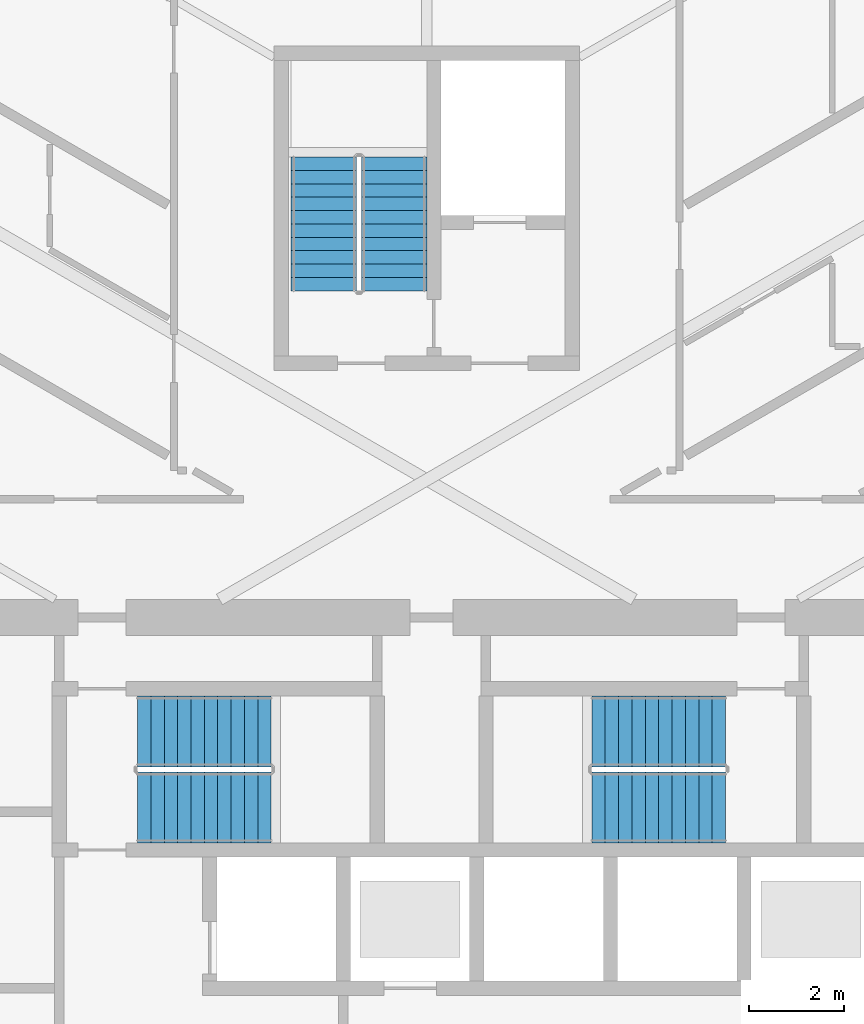
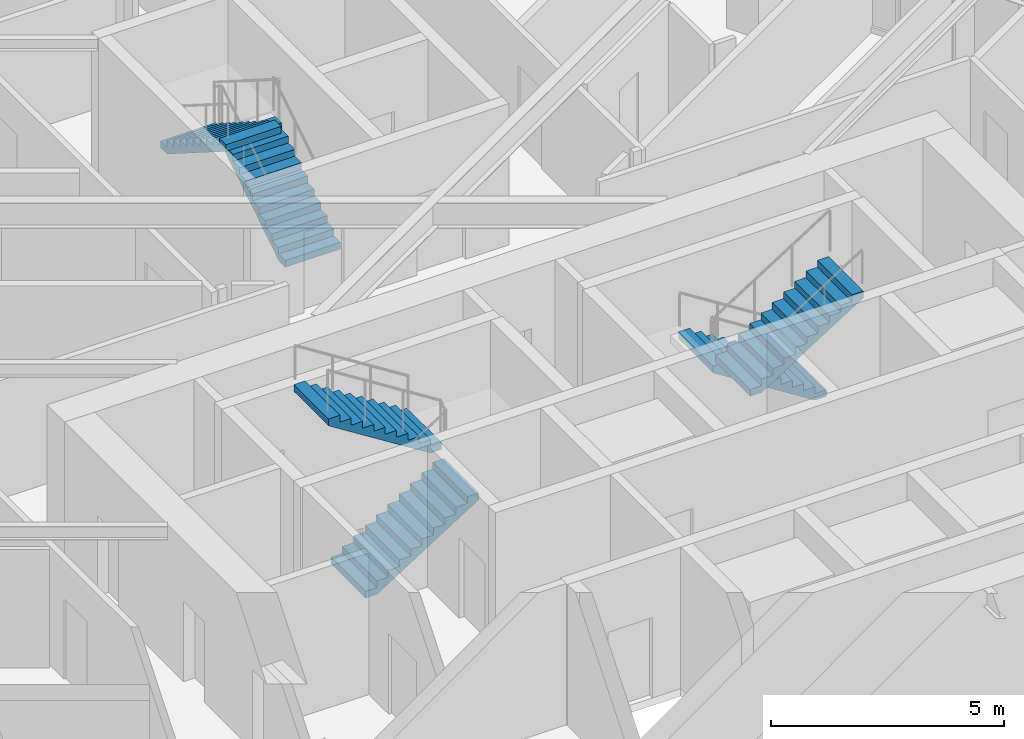
# One storey, part 20 of 26: 6 stair flights, 3 elements without a shape of their own.
"""IFC4 building model written with IfcOpenShell, lengths in metres."""

import ifcopenshell
import ifcopenshell.guid

model = None  # the IFC model being written
_history = None  # IfcOwnerHistory: only IFC2X3 demands one
_inside = {}  # id of a spatial element -> (the spatial element, [elements in it])
_under = {}  # id of a project, library or spatial element -> (it, [spatial elements below it])
_declared = {}  # id of a project -> (the project, [libraries it declares])
_typed = {}  # id of a type object -> (the type object, [elements of that type])
_made_of = {}  # id of a material, layer set ... -> (it, [elements and type objects made of it])


def new_model(schema):
    """Start an empty IFC model of exactly this schema.

    Asked for "IFC4X3", IfcOpenShell would pick the latest addendum, in which some entities
    have other attributes; the version numbers below select the first issue.
    IFC2X3 requires an IfcOwnerHistory on every rooted entity: one is made here for all.
    """
    global model, _history
    if schema == "IFC4X3":
        model = ifcopenshell.file(schema_version=(4, 3, 0, 0))
    else:
        model = ifcopenshell.file(schema=schema)
    _inside.clear()
    _under.clear()
    _declared.clear()
    _typed.clear()
    _made_of.clear()
    _history = None
    if model.schema == "IFC2X3":
        org = make("IfcOrganization", Name="unknown")
        user = make(
            "IfcPersonAndOrganization",
            ThePerson=make("IfcPerson", FamilyName="unknown"),
            TheOrganization=org,
        )
        app = make(
            "IfcApplication",
            ApplicationDeveloper=org,
            Version="unknown",
            ApplicationFullName="unknown",
            ApplicationIdentifier="unknown",
        )
        _history = make(
            "IfcOwnerHistory",
            OwningUser=user,
            OwningApplication=app,
            ChangeAction="ADDED",
            CreationDate=0,
        )
    return model


def make(cls, **values):
    """One entity of the class cls with the attributes given. An attribute that is None is left unset."""
    return model.create_entity(
        cls, **{name: value for name, value in values.items() if value is not None}
    )


def rooted(cls, **values):
    """An entity with a GlobalId (a new one), such as an element, a storey or a relation."""
    return make(cls, GlobalId=ifcopenshell.guid.new(), OwnerHistory=_history, **values)


def si_unit(unit_type, name, prefix=None):
    """IfcSIUnit, for example si_unit("LENGTHUNIT", "METRE", prefix="MILLI")."""
    return make("IfcSIUnit", UnitType=unit_type, Prefix=prefix, Name=name)


def assignment(units):
    """IfcUnitAssignment: the units of a project."""
    return None if units is None else make("IfcUnitAssignment", Units=units)


def point(xyz):
    """IfcCartesianPoint."""
    return None if xyz is None else make("IfcCartesianPoint", Coordinates=xyz)


def direction(xyz):
    """IfcDirection."""
    return None if xyz is None else make("IfcDirection", DirectionRatios=xyz)


def frame(location, z_axis=None, x_axis=None):
    """IfcAxis2Placement3D, a coordinate frame: its origin and axes. An axis left out is left unset."""
    return make(
        "IfcAxis2Placement3D",
        Location=point(location),
        Axis=direction(z_axis),
        RefDirection=direction(x_axis),
    )


def origin():
    """The frame at (0, 0, 0) with its axes left unset."""
    return frame((0.0, 0.0, 0.0))


def place(relative_to, where):
    """IfcLocalPlacement: puts the frame where relative to a parent placement (None: the world)."""
    return make(
        "IfcLocalPlacement", PlacementRelTo=relative_to, RelativePlacement=where
    )


def context(
    kind, dimensions, precision=None, world=None, true_north=None, identifier=None
):
    """IfcGeometricRepresentationContext, for example the 3D "Model" context."""
    return make(
        "IfcGeometricRepresentationContext",
        ContextIdentifier=identifier,
        ContextType=kind,
        CoordinateSpaceDimension=dimensions,
        Precision=precision,
        WorldCoordinateSystem=world,
        TrueNorth=true_north,
    )


def subcontext(parent, identifier, kind, view, scale=None):
    """IfcGeometricRepresentationSubContext, for example "Body" below "Model"."""
    return make(
        "IfcGeometricRepresentationSubContext",
        ContextIdentifier=identifier,
        ContextType=kind,
        ParentContext=parent,
        TargetScale=scale,
        TargetView=view,
    )


def project(units=None, contexts=None):
    """IfcProject with its units and contexts."""
    return rooted(
        "IfcProject",
        Name="project",
        RepresentationContexts=contexts,
        UnitsInContext=assignment(units),
    )


def spatial(cls, under=None, at=None, **own):
    """A site, building, storey or space (cls), placed at a placement, below another one or the project."""
    s = rooted(cls, ObjectPlacement=at, **own)
    if under is not None:
        _under.setdefault(under.id(), (under, []))[1].append(s)
    return s


def polyline(points):
    """IfcPolyline through the points."""
    return make("IfcPolyline", Points=[point(p) for p in points])


def outline(outer, holes=None, kind="AREA"):
    """IfcArbitraryClosedProfileDef: a profile drawn as a closed curve; with holes, ...WithVoids."""
    if holes is None:
        return make("IfcArbitraryClosedProfileDef", ProfileType=kind, OuterCurve=outer)
    return make(
        "IfcArbitraryProfileDefWithVoids",
        ProfileType=kind,
        OuterCurve=outer,
        InnerCurves=holes,
    )


def extrude(swept, where, along, depth):
    """IfcExtrudedAreaSolid: the profile swept, set in the frame where, extruded along a direction by depth."""
    return make(
        "IfcExtrudedAreaSolid",
        SweptArea=swept,
        Position=where,
        ExtrudedDirection=direction(along),
        Depth=depth,
    )


def shape(context_of_items, identifier, shape_type, items):
    """IfcShapeRepresentation: the items that make up one representation, for example the "Body"."""
    return make(
        "IfcShapeRepresentation",
        ContextOfItems=context_of_items,
        RepresentationIdentifier=identifier,
        RepresentationType=shape_type,
        Items=items,
    )


def material(Name=None, Category=None):
    """IfcMaterial."""
    return make("IfcMaterial", Name=Name, Category=Category)


def made_of(thing, what):
    """Note that an element or type object is made of a material, layer set ...; save() writes the relation."""
    if what is not None:
        _made_of.setdefault(what.id(), (what, []))[1].append(thing)
    return thing


def type_object(cls, material=None, **own):
    """A type object (cls), such as IfcWallType, which elements share."""
    return made_of(rooted(cls, **own), material)


def element(
    cls,
    number,
    at=None,
    inside=None,
    cuts=None,
    type_object=None,
    material=None,
    context=None,
    identifier="Body",
    shape_type=None,
    held_by="IfcProductDefinitionShape",
    body=None,
    shapes=None,
    **own,
):
    """One element of the class cls, such as IfcWall. Its Tag is "e" and its number.

    at: its placement. inside: the storey or other place that contains it. cuts: it is an
    opening in that element (IfcRelVoidsElement). A single representation is given by context,
    identifier, shape_type and body (its items); several are given by shapes. held_by: the class
    of the entity that holds the representations. save() writes the other relations.
    """
    e = rooted(cls, Tag="e%d" % number, ObjectPlacement=at, **own)
    if body is not None:
        shapes = [shape(context, identifier, shape_type, body)]
    if shapes is not None:
        e.Representation = make(held_by, Representations=shapes)
    if inside is not None:
        _inside.setdefault(inside.id(), (inside, []))[1].append(e)
    if cuts is not None:
        rooted(
            "IfcRelVoidsElement", RelatingBuildingElement=cuts, RelatedOpeningElement=e
        )
    if type_object is not None:
        _typed.setdefault(type_object.id(), (type_object, []))[1].append(e)
    return made_of(e, material)


def aggregate(whole, parts):
    """IfcRelAggregates: a whole, such as a stair, and the parts it consists of."""
    return rooted("IfcRelAggregates", RelatingObject=whole, RelatedObjects=parts)


def save(model, path):
    """Write the relations noted so far, then the file.

    IfcRelAggregates (storeys below a building ...), IfcRelContainedInSpatialStructure (elements
    in a storey), IfcRelDefinesByType, IfcRelAssociatesMaterial and IfcRelDeclares: one each for
    every whole, place, type object, material and project.
    """
    for whole, parts in _under.values():
        aggregate(whole, parts)
    for where, things in _inside.values():
        rooted(
            "IfcRelContainedInSpatialStructure",
            RelatedElements=things,
            RelatingStructure=where,
        )
    for kind, things in _typed.values():
        rooted("IfcRelDefinesByType", RelatedObjects=things, RelatingType=kind)
    for what, things in _made_of.values():
        rooted("IfcRelAssociatesMaterial", RelatedObjects=things, RelatingMaterial=what)
    for by, libraries in _declared.values():
        rooted("IfcRelDeclares", RelatingContext=by, RelatedDefinitions=libraries)
    model.write(path)


model = new_model("IFC4")

# Units and contexts
model_context = context("Model", 3, precision=1e-05, world=origin(), true_north=direction((0.0, 1.0)))
body_context = subcontext(model_context, "Body", "Model", "MODEL_VIEW")
ifc_project = project(units=[si_unit("LENGTHUNIT", "METRE"), si_unit("AREAUNIT", "SQUARE_METRE"), si_unit("VOLUMEUNIT", "CUBIC_METRE"), si_unit("PLANEANGLEUNIT", "RADIAN"), si_unit("MASSUNIT", "GRAM", prefix="KILO")], contexts=[model_context])

# Site, building, storey
site_placement = place(None, origin())
site = spatial("IfcSite", under=ifc_project, at=site_placement, CompositionType="ELEMENT")
building_placement = place(site_placement, origin())
building = spatial("IfcBuilding", under=site, at=building_placement, Name="Firuza Gate Tower and Library", CompositionType="ELEMENT")
storey_placement = place(building_placement, frame((0.0, 0.0, 155.800048828125)))
storey = spatial("IfcBuildingStorey", under=building, at=storey_placement, Name="L35", CompositionType="ELEMENT", Elevation=155.800048828125)

# Stair, stair flights
ifc_material_1 = material(Name="Concrete C35/45", Category="concrete")
stair_type_1 = type_object("IfcStairType", Name="Exit stair ST16", PredefinedType="HALF_TURN_STAIR", material=ifc_material_1)
placement = place(storey_placement, origin())
stair_1 = element("IfcStair", 1, at=placement, inside=storey, type_object=stair_type_1, Name="L35 Stair ST3", PredefinedType="HALF_TURN_STAIR")
ifc_material_2 = material(Name="Concrete C35/45", Category="concrete")
stair_flight_type_1 = type_object("IfcStairFlightType", Name="Stair flight 11 risers 177.3 width 1370", PredefinedType="STRAIGHT", material=ifc_material_2)
stair_flight_1_placement = place(storey_placement, frame((74.31494140625, 89.469970703125, 0.0), z_axis=(0.0, 0.0, 1.0), x_axis=(0.0, 1.0, 0.0)))
stair_flight_1 = element("IfcStairFlight", 2, at=stair_flight_1_placement, type_object=stair_flight_type_1, Name="ST3 flight 1", NumberOfRisers=11, NumberOfTreads=10, PredefinedType="STRAIGHT", RiserHeight=0.177272727, TreadLength=0.28, context=body_context, shape_type="SweptSolid", body=[
    extrude(outline(polyline([(0.0, 0.0), (0.0, 0.17724609375), (0.280029296875, 0.17724609375), (0.280029296875, 0.3544921875), (0.56005859375, 0.3544921875), (0.56005859375, 0.53173828125), (0.840087890625, 0.53173828125), (0.840087890625, 0.708984375), (1.1201171875, 0.708984375), (1.1201171875, 0.886474609375), (1.39990234375, 0.886474609375), (1.39990234375, 1.063720703125), (1.679931640625, 1.063720703125), (1.679931640625, 1.240966796875), (1.9599609375, 1.240966796875), (1.9599609375, 1.418212890625), (2.239990234375, 1.418212890625), (2.239990234375, 1.595458984375), (2.52001953125, 1.595458984375), (2.52001953125, 1.772705078125), (2.800048828125, 1.772705078125), (2.800048828125, 1.949951171875), (2.800048828125, 1.59521484375), (0.2802734375, 0.0), (0.0, 0.0)])), frame((0.0, 0.68505859375, 0.0), z_axis=(0.0, -1.0, 0.0), x_axis=(1.0, 0.0, 0.0)), (0.0, 0.0, 1.0), 1.3701171875),
])
stair_flight_2_placement = place(storey_placement, frame((72.844970703125, 92.27001953125, 1.949951171875), z_axis=(0.0, 0.0, 1.0), x_axis=(0.0, -1.0, 0.0)))
stair_flight_2 = element("IfcStairFlight", 3, at=stair_flight_2_placement, type_object=stair_flight_type_1, Name="ST3 flight 2", NumberOfRisers=11, NumberOfTreads=10, PredefinedType="STRAIGHT", RiserHeight=0.177272727, TreadLength=0.28, context=body_context, shape_type="SweptSolid", body=[
    extrude(outline(polyline([(0.0, 0.0), (0.0, 0.17724609375), (0.280029296875, 0.17724609375), (0.280029296875, 0.3544921875), (0.56005859375, 0.3544921875), (0.56005859375, 0.53173828125), (0.840087890625, 0.53173828125), (0.840087890625, 0.708984375), (1.1201171875, 0.708984375), (1.1201171875, 0.886474609375), (1.39990234375, 0.886474609375), (1.39990234375, 1.063720703125), (1.679931640625, 1.063720703125), (1.679931640625, 1.240966796875), (1.9599609375, 1.240966796875), (1.9599609375, 1.418212890625), (2.239990234375, 1.418212890625), (2.239990234375, 1.595458984375), (2.52001953125, 1.595458984375), (2.52001953125, 1.772705078125), (2.800048828125, 1.772705078125), (2.800048828125, 1.949951171875), (2.800048828125, 1.59521484375), (0.2802734375, 0.0), (0.0, 0.0)])), frame((0.0, 0.68505859375, 0.0), z_axis=(0.0, -1.0, 0.0), x_axis=(1.0, 0.0, 0.0)), (0.0, 0.0, 1.0), 1.3701171875),
])
aggregate(stair_1, [stair_flight_1, stair_flight_2])

ifc_material_3 = material(Name="Concrete C35/45", Category="concrete")
stair_type_2 = type_object("IfcStairType", Name="Exit stair ST7", PredefinedType="HALF_TURN_STAIR", material=ifc_material_3)
stair_2 = element("IfcStair", 4, at=placement, inside=storey, type_object=stair_type_2, Name="L35 Stair ST1", PredefinedType="HALF_TURN_STAIR")
ifc_material_4 = material(Name="Concrete C35/45", Category="concrete")
stair_flight_type_2 = type_object("IfcStairFlightType", Name="Stair flight 11 risers 177.3 width 1490", PredefinedType="STRAIGHT", material=ifc_material_4)
stair_flight_3_placement = place(storey_placement, frame((68.93994140625, 78.64501953125, 0.0), z_axis=(0.0, 0.0, 1.0), x_axis=(1.0, 0.0, 0.0)))
stair_flight_3 = element("IfcStairFlight", 5, at=stair_flight_3_placement, type_object=stair_flight_type_2, Name="ST1 flight 1", NumberOfRisers=11, NumberOfTreads=10, PredefinedType="STRAIGHT", RiserHeight=0.177272727, TreadLength=0.28, context=body_context, shape_type="SweptSolid", body=[
    extrude(outline(polyline([(0.0, 0.0), (0.0, 0.17724609375), (0.280029296875, 0.17724609375), (0.280029296875, 0.3544921875), (0.56005859375, 0.3544921875), (0.56005859375, 0.53173828125), (0.840087890625, 0.53173828125), (0.840087890625, 0.708984375), (1.1201171875, 0.708984375), (1.1201171875, 0.886474609375), (1.39990234375, 0.886474609375), (1.39990234375, 1.063720703125), (1.679931640625, 1.063720703125), (1.679931640625, 1.240966796875), (1.9599609375, 1.240966796875), (1.9599609375, 1.418212890625), (2.239990234375, 1.418212890625), (2.239990234375, 1.595458984375), (2.52001953125, 1.595458984375), (2.52001953125, 1.772705078125), (2.800048828125, 1.772705078125), (2.800048828125, 1.949951171875), (2.800048828125, 1.59521484375), (0.2802734375, 0.0), (0.0, 0.0)])), frame((0.0, 0.7451171875, 0.0), z_axis=(0.0, -1.0, 0.0), x_axis=(1.0, 0.0, 0.0)), (0.0, 0.0, 1.0), 1.489990234375),
])
stair_flight_4_placement = place(storey_placement, frame((71.739990234375, 80.235107421875, 1.949951171875), z_axis=(0.0, 0.0, 1.0), x_axis=(-1.0, 0.0, 0.0)))
stair_flight_4 = element("IfcStairFlight", 6, at=stair_flight_4_placement, type_object=stair_flight_type_2, Name="ST1 flight 2", NumberOfRisers=11, NumberOfTreads=10, PredefinedType="STRAIGHT", RiserHeight=0.177272727, TreadLength=0.28, context=body_context, shape_type="SweptSolid", body=[
    extrude(outline(polyline([(0.0, 0.0), (0.0, 0.17724609375), (0.280029296875, 0.17724609375), (0.280029296875, 0.3544921875), (0.56005859375, 0.3544921875), (0.56005859375, 0.53173828125), (0.840087890625, 0.53173828125), (0.840087890625, 0.708984375), (1.1201171875, 0.708984375), (1.1201171875, 0.886474609375), (1.39990234375, 0.886474609375), (1.39990234375, 1.063720703125), (1.679931640625, 1.063720703125), (1.679931640625, 1.240966796875), (1.9599609375, 1.240966796875), (1.9599609375, 1.418212890625), (2.239990234375, 1.418212890625), (2.239990234375, 1.595458984375), (2.52001953125, 1.595458984375), (2.52001953125, 1.772705078125), (2.800048828125, 1.772705078125), (2.800048828125, 1.949951171875), (2.800048828125, 1.59521484375), (0.2802734375, 0.0), (0.0, 0.0)])), frame((0.0, 0.7451171875, 0.0), z_axis=(0.0, -1.0, 0.0), x_axis=(1.0, 0.0, 0.0)), (0.0, 0.0, 1.0), 1.489990234375),
])
aggregate(stair_2, [stair_flight_3, stair_flight_4])

stair_3 = element("IfcStair", 7, at=placement, inside=storey, type_object=stair_type_2, Name="L35 Stair ST2", PredefinedType="HALF_TURN_STAIR")
stair_flight_5_placement = place(storey_placement, frame((81.260009765625, 80.235107421875, 0.0), z_axis=(0.0, 0.0, 1.0), x_axis=(-1.0, 0.0, 0.0)))
stair_flight_5 = element("IfcStairFlight", 8, at=stair_flight_5_placement, type_object=stair_flight_type_2, Name="ST2 flight 1", NumberOfRisers=11, NumberOfTreads=10, PredefinedType="STRAIGHT", RiserHeight=0.177272727, TreadLength=0.28, context=body_context, shape_type="SweptSolid", body=[
    extrude(outline(polyline([(0.0, 0.0), (0.0, 0.17724609375), (0.280029296875, 0.17724609375), (0.280029296875, 0.3544921875), (0.56005859375, 0.3544921875), (0.56005859375, 0.53173828125), (0.840087890625, 0.53173828125), (0.840087890625, 0.708984375), (1.1201171875, 0.708984375), (1.1201171875, 0.886474609375), (1.39990234375, 0.886474609375), (1.39990234375, 1.063720703125), (1.679931640625, 1.063720703125), (1.679931640625, 1.240966796875), (1.9599609375, 1.240966796875), (1.9599609375, 1.418212890625), (2.239990234375, 1.418212890625), (2.239990234375, 1.595458984375), (2.52001953125, 1.595458984375), (2.52001953125, 1.772705078125), (2.800048828125, 1.772705078125), (2.800048828125, 1.949951171875), (2.800048828125, 1.59521484375), (0.2802734375, 0.0), (0.0, 0.0)])), frame((0.0, 0.7451171875, 0.0), z_axis=(0.0, -1.0, 0.0), x_axis=(1.0, 0.0, 0.0)), (0.0, 0.0, 1.0), 1.489990234375),
])
stair_flight_6_placement = place(storey_placement, frame((78.4599609375, 78.64501953125, 1.949951171875), z_axis=(0.0, 0.0, 1.0), x_axis=(1.0, 0.0, 0.0)))
stair_flight_6 = element("IfcStairFlight", 9, at=stair_flight_6_placement, type_object=stair_flight_type_2, Name="ST2 flight 2", NumberOfRisers=11, NumberOfTreads=10, PredefinedType="STRAIGHT", RiserHeight=0.177272727, TreadLength=0.28, context=body_context, shape_type="SweptSolid", body=[
    extrude(outline(polyline([(0.0, 0.0), (0.0, 0.17724609375), (0.280029296875, 0.17724609375), (0.280029296875, 0.3544921875), (0.56005859375, 0.3544921875), (0.56005859375, 0.53173828125), (0.840087890625, 0.53173828125), (0.840087890625, 0.708984375), (1.1201171875, 0.708984375), (1.1201171875, 0.886474609375), (1.39990234375, 0.886474609375), (1.39990234375, 1.063720703125), (1.679931640625, 1.063720703125), (1.679931640625, 1.240966796875), (1.9599609375, 1.240966796875), (1.9599609375, 1.418212890625), (2.239990234375, 1.418212890625), (2.239990234375, 1.595458984375), (2.52001953125, 1.595458984375), (2.52001953125, 1.772705078125), (2.800048828125, 1.772705078125), (2.800048828125, 1.949951171875), (2.800048828125, 1.59521484375), (0.2802734375, 0.0), (0.0, 0.0)])), frame((0.0, 0.7451171875, 0.0), z_axis=(0.0, -1.0, 0.0), x_axis=(1.0, 0.0, 0.0)), (0.0, 0.0, 1.0), 1.489990234375),
])
aggregate(stair_3, [stair_flight_5, stair_flight_6])

save(model, "model.ifc")
